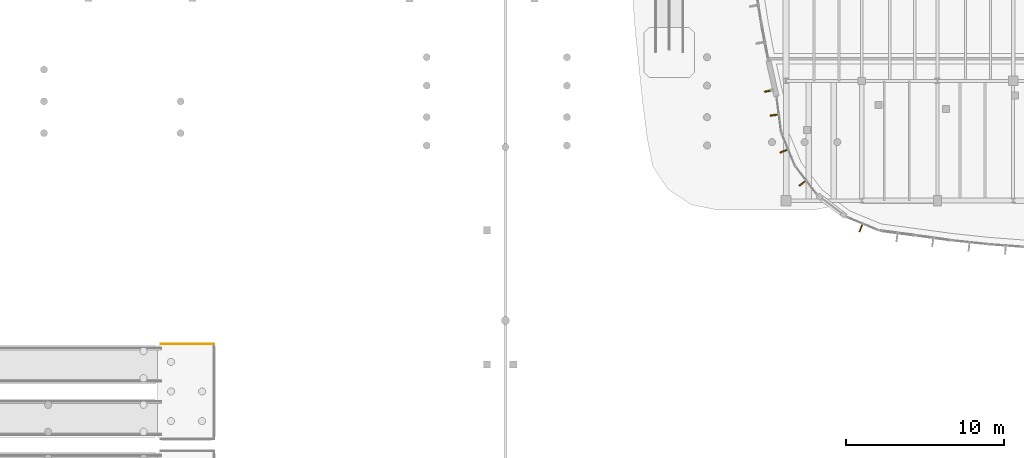
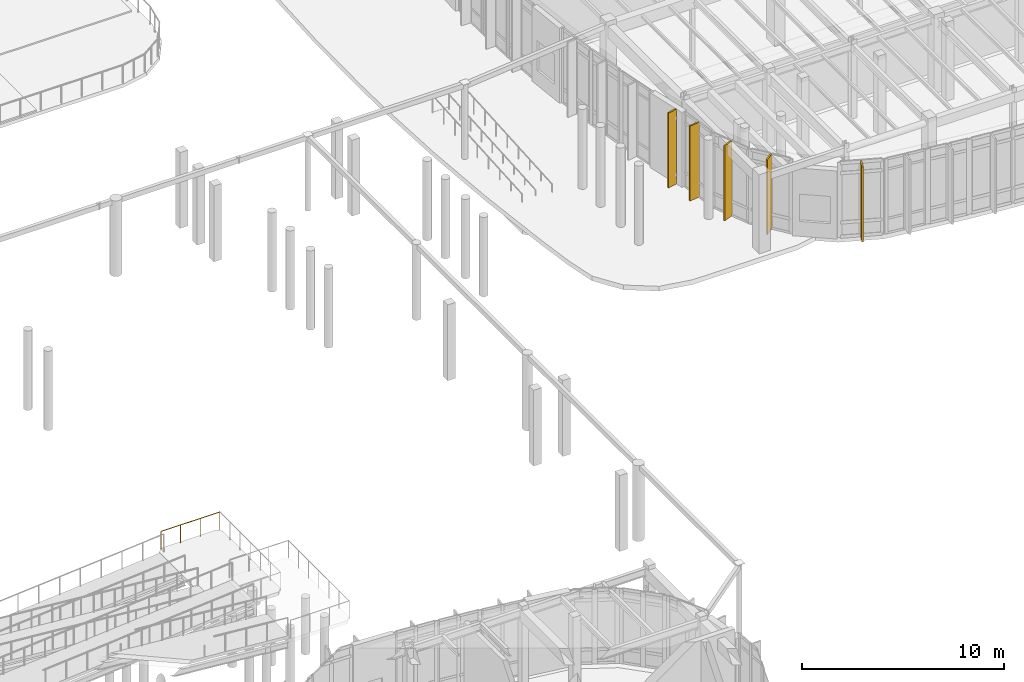
# One storey, part 108 of 120: 5 coverings, 1 railing, 1 shading device.
"""IFC4 building model written with IfcOpenShell, lengths in metres."""

from ifc_helpers import new_model, si_unit, direction, frame, origin, origin_2d, place, context, subcontext, project, spatial, polyline, rectangle, circle, outline, extrude, material, layer, layer_set, type_object, element, save


model = new_model("IFC4")

# Units and contexts
model_context = context("Model", 3, precision=1e-05, world=origin(), true_north=direction((0.0, 1.0)))
body_context = subcontext(model_context, "Body", "Model", "MODEL_VIEW")
ifc_project = project(units=[si_unit("LENGTHUNIT", "METRE"), si_unit("AREAUNIT", "SQUARE_METRE"), si_unit("VOLUMEUNIT", "CUBIC_METRE"), si_unit("PLANEANGLEUNIT", "RADIAN"), si_unit("MASSUNIT", "GRAM", prefix="KILO")], contexts=[model_context])

# Site, building, storey
site_placement = place(None, origin())
site = spatial("IfcSite", under=ifc_project, at=site_placement, CompositionType="ELEMENT")
building_placement = place(site_placement, origin())
building = spatial("IfcBuilding", under=site, at=building_placement, Name="Corveleigh Park Community Centre", CompositionType="ELEMENT")
storey_placement = place(building_placement, origin())
storey = spatial("IfcBuildingStorey", under=building, at=storey_placement, Name="L00", CompositionType="ELEMENT", Elevation=0.0)

# Coverings
ifc_material_1 = material(Name="Warm buff ribbed architectural cladding", Category="masonry")
ifc_layer = layer(ifc_material_1, 0.0849609375, Name="Warm buff ribbed architectural cladding", Category="masonry")
ifc_layer_set = layer_set([ifc_layer], Name="Warm buff ribbed architectural cladding")
covering_type = type_object("IfcCoveringType", Name="COV-CLD-BUF", PredefinedType="CLADDING", material=ifc_layer_set)
covering_1_placement = place(storey_placement, origin())
element("IfcCovering", 1, at=covering_1_placement, inside=storey, type_object=covering_type, Name="V4 L00 Brise-soleil blade 153", PredefinedType="CLADDING", context=body_context, shape_type="SweptSolid", body=[
    extrude(outline(polyline([(128.966064453125, 65.5810546875), (128.947998046875, 65.6640625), (128.426025390625, 65.547119140625), (128.444091796875, 65.464111328125), (128.966064453125, 65.5810546875)])), origin(), (0.0, 0.0, 1.0), 4.537109375),
])
covering_2_placement = place(storey_placement, origin())
element("IfcCovering", 2, at=covering_2_placement, inside=storey, type_object=covering_type, Name="V4 L00 Brise-soleil blade 154", PredefinedType="CLADDING", context=body_context, shape_type="SweptSolid", body=[
    extrude(outline(polyline([(129.3740234375, 64.030029296875), (129.363037109375, 64.114013671875), (128.7880859375, 64.0380859375), (128.799072265625, 63.9541015625), (129.3740234375, 64.030029296875)])), origin(), (0.0, 0.0, 1.0), 4.537109375),
])
covering_3_placement = place(storey_placement, origin())
element("IfcCovering", 3, at=covering_3_placement, inside=storey, type_object=covering_type, Name="V4 L00 Brise-soleil blade 155", PredefinedType="CLADDING", context=body_context, shape_type="SweptSolid", body=[
    extrude(outline(polyline([(129.97412109375, 61.8291015625), (129.94189453125, 61.907958984375), (129.406005859375, 61.68603515625), (129.43798828125, 61.60693359375), (129.97412109375, 61.8291015625)])), origin(), (0.0, 0.0, 1.0), 4.537109375),
])
covering_4_placement = place(storey_placement, origin())
element("IfcCovering", 4, at=covering_4_placement, inside=storey, type_object=covering_type, Name="V4 L00 Brise-soleil blade 156", PredefinedType="CLADDING", context=body_context, shape_type="SweptSolid", body=[
    extrude(outline(polyline([(131.1201171875, 59.866943359375), (131.068115234375, 59.93408203125), (130.60791015625, 59.5810546875), (130.659912109375, 59.513916015625), (131.1201171875, 59.866943359375)])), origin(), (0.0, 0.0, 1.0), 4.537109375),
])
covering_5_placement = place(storey_placement, origin())
element("IfcCovering", 5, at=covering_5_placement, inside=storey, type_object=covering_type, Name="V4 L00 Brise-soleil blade 157", PredefinedType="CLADDING", context=body_context, shape_type="SweptSolid", body=[
    extrude(outline(polyline([(134.7080078125, 57.14208984375), (134.62890625, 57.174072265625), (134.406982421875, 56.637939453125), (134.486083984375, 56.60595703125), (134.7080078125, 57.14208984375)])), origin(), (0.0, 0.0, 1.0), 4.537109375),
])

# Railing
ifc_material_2 = material(Name="Stainless steel 316 balustrade", Category="steel")
railing_type = type_object("IfcRailingType", Name="RLG-BAL-EXT-1100", PredefinedType="BALUSTRADE", material=ifc_material_2)
railing_placement = place(storey_placement, frame((90.14990234375, 49.52001953125, 1.199951171875)))
element("IfcRailing", 6, at=railing_placement, inside=storey, type_object=railing_type, Name="Promenade Landing Guard RLG-PRMLND1-N", PredefinedType="BALUSTRADE", context=body_context, shape_type="SweptSolid", body=[
    extrude(circle(Radius=0.02392578125, at=origin_2d()), frame((0.0, 0.0, 1.076171875), z_axis=(1.0, 0.0, 0.0), x_axis=(0.0, 1.0, 0.0)), (0.0, 0.0, 1.0), 3.3701171875),
    extrude(circle(Radius=0.02099609375, at=origin_2d()), origin(), (0.0, 0.0, 1.0), 1.052001953125),
    extrude(circle(Radius=0.02099609375, at=origin_2d()), frame((1.123291015625, 0.0, 0.0)), (0.0, 0.0, 1.0), 1.052001953125),
    extrude(circle(Radius=0.02099609375, at=origin_2d()), frame((2.246826171875, 0.0, 0.0)), (0.0, 0.0, 1.0), 1.052001953125),
    extrude(circle(Radius=0.02099609375, at=origin_2d()), frame((3.3701171875, 0.0, 0.0)), (0.0, 0.0, 1.0), 1.052001953125),
])

# Shading device
ifc_material_3 = material(Name="Terracotta-anodised aluminium fin", Category="masonry")
shading_device_type = type_object("IfcShadingDeviceType", Name="SHD-FIN-TER-450", PredefinedType="USERDEFINED", material=ifc_material_3)
shading_device_placement = place(storey_placement, frame((128.77197265625, 65.5810546875, 0.25), z_axis=(0.0, 0.0, 1.0), x_axis=(-0.975753455878, -0.218872550452, 0.0)))
element("IfcShadingDevice", 7, at=shading_device_placement, inside=storey, type_object=shading_device_type, Name="Terracotta brise-soleil fin 26", ObjectType="FIN", PredefinedType="USERDEFINED", context=body_context, shape_type="SweptSolid", body=[
    extrude(rectangle(XDim=0.449951171875, YDim=0.06494140625, at=origin_2d()), origin(), (0.0, 0.0, 1.0), 4.136962890625),
])

save(model, "model.ifc")
